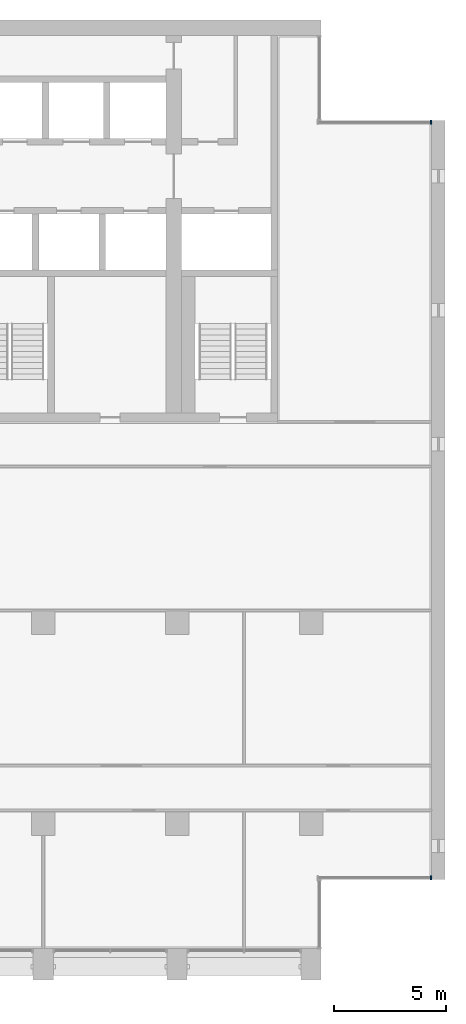
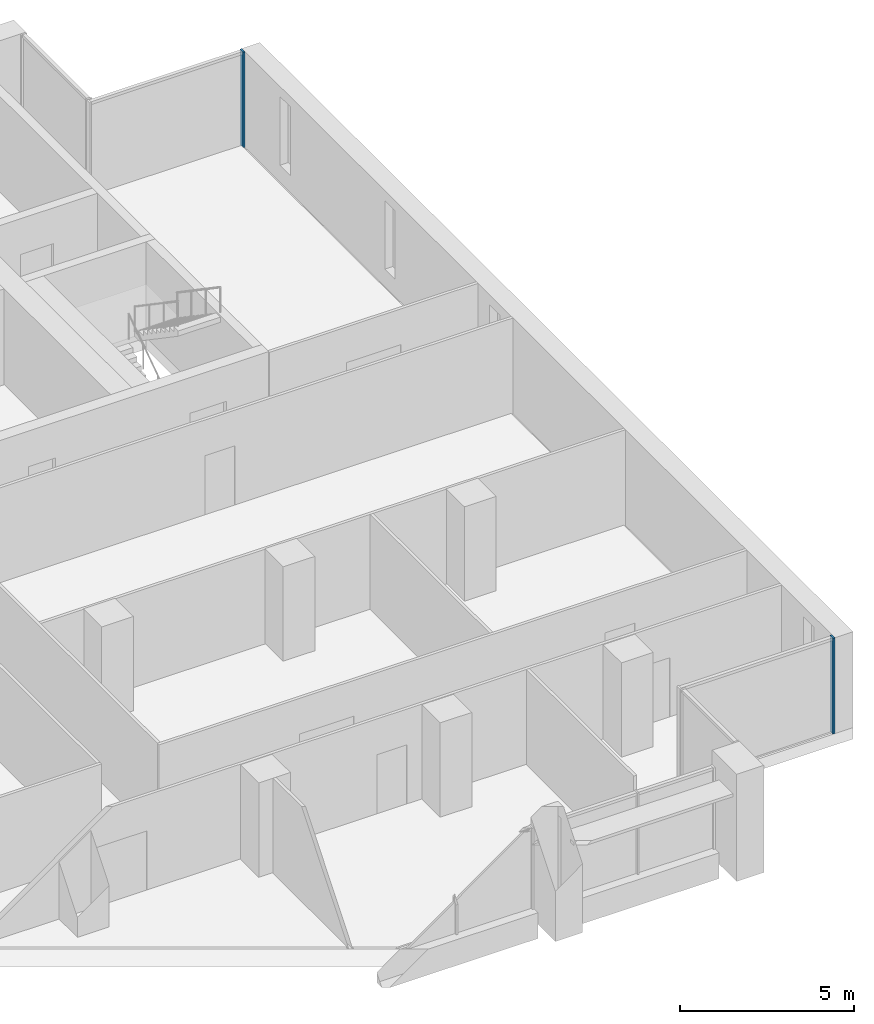
# One storey, part 6 of 17: 2 members, 2 elements without a shape of their own.
"""IFC4 building model written with IfcOpenShell, lengths in metres."""

from ifc_helpers import new_model, si_unit, direction, frame, origin, origin_2d, place, context, subcontext, project, spatial, rectangle, extrude, material, material_profile, profile_set, type_object, element, aggregate, save


model = new_model("IFC4")

# Units and contexts
model_context = context("Model", 3, precision=1e-05, world=origin(), true_north=direction((0.0, 1.0)))
body_context = subcontext(model_context, "Body", "Model", "MODEL_VIEW")
ifc_project = project(units=[si_unit("LENGTHUNIT", "METRE"), si_unit("AREAUNIT", "SQUARE_METRE"), si_unit("VOLUMEUNIT", "CUBIC_METRE"), si_unit("PLANEANGLEUNIT", "RADIAN"), si_unit("MASSUNIT", "GRAM", prefix="KILO")], contexts=[model_context])

# Site, building, storey
site_placement = place(None, origin())
site = spatial("IfcSite", under=ifc_project, at=site_placement, CompositionType="ELEMENT")
building_placement = place(site_placement, origin())
building = spatial("IfcBuilding", under=site, at=building_placement, Name="Calvaro Tower", CompositionType="ELEMENT")
storey_placement = place(building_placement, frame((0.0, 0.0, 204.25)))
storey = spatial("IfcBuildingStorey", under=building, at=storey_placement, Name="L51", CompositionType="ELEMENT", Elevation=204.25)

# Curtain wall, member
ifc_material_1 = material(Name="Anodised aluminium", Category="aluminium")
curtain_wall_type = type_object("IfcCurtainWallType", Name="Office curtain wall, upper zone", PredefinedType="NOTDEFINED", material=ifc_material_1)
curtain_wall_1_placement = place(storey_placement, origin())
curtain_wall_1 = element("IfcCurtainWall", 1, at=curtain_wall_1_placement, inside=storey, type_object=curtain_wall_type, Name="CW3 corner curtain wall", PredefinedType="NOTDEFINED")
ifc_material_2 = material(Name="Anodised aluminium", Category="aluminium")
ifc_material_profile = material_profile(ifc_material_2, rectangle(XDim=0.179931640625, YDim=0.06005859375, at=origin_2d()), Name="Mullion S3 60 x 180")
ifc_profile_set = profile_set([ifc_material_profile], Name="Anodised aluminium")
member_type = type_object("IfcMemberType", Name="Mullion S3 60 x 180", PredefinedType="MULLION", material=ifc_profile_set)
member_1_placement = place(storey_placement, frame((71.3701171875, 7.590087890625, 0.0), z_axis=(0.0, 0.0, 1.0), x_axis=(0.0, 1.0, 0.0)))
member_1 = element("IfcMember", 2, at=member_1_placement, type_object=member_type, Name="CW3 mullion 2", PredefinedType="MULLION", context=body_context, shape_type="SweptSolid", body=[
    extrude(rectangle(XDim=0.179931640625, YDim=0.06005859375, at=origin_2d()), origin(), (0.0, 0.0, 1.0), 3.35009765625),
])
aggregate(curtain_wall_1, [member_1])

curtain_wall_2_placement = place(storey_placement, origin())
curtain_wall_2 = element("IfcCurtainWall", 3, at=curtain_wall_2_placement, inside=storey, type_object=curtain_wall_type, Name="CW3 corner curtain wall", PredefinedType="NOTDEFINED")
member_2_placement = place(storey_placement, frame((71.3701171875, 41.409912109375, 0.0), z_axis=(0.0, 0.0, 1.0), x_axis=(0.0, 1.0, 0.0)))
member_2 = element("IfcMember", 4, at=member_2_placement, type_object=member_type, Name="CW3 mullion 2", PredefinedType="MULLION", context=body_context, shape_type="SweptSolid", body=[
    extrude(rectangle(XDim=0.179931640625, YDim=0.06005859375, at=origin_2d()), origin(), (0.0, 0.0, 1.0), 3.35009765625),
])
aggregate(curtain_wall_2, [member_2])

save(model, "model.ifc")
